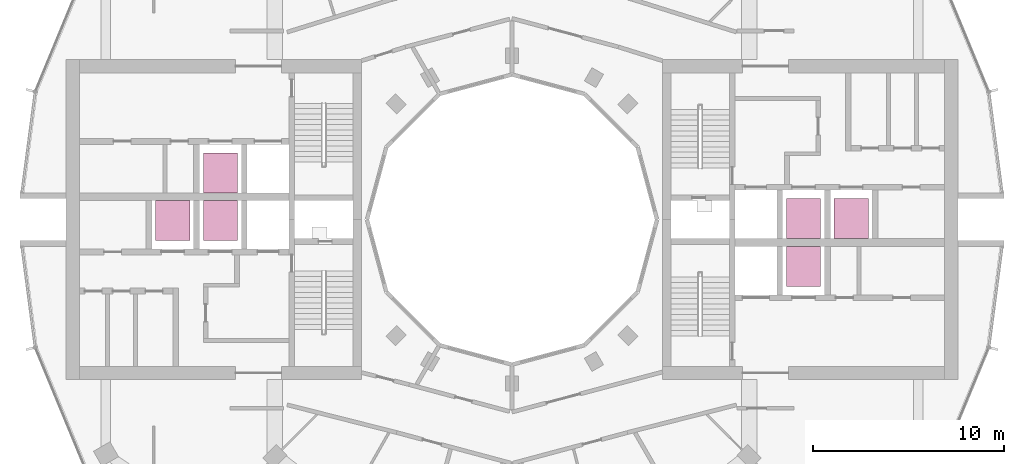
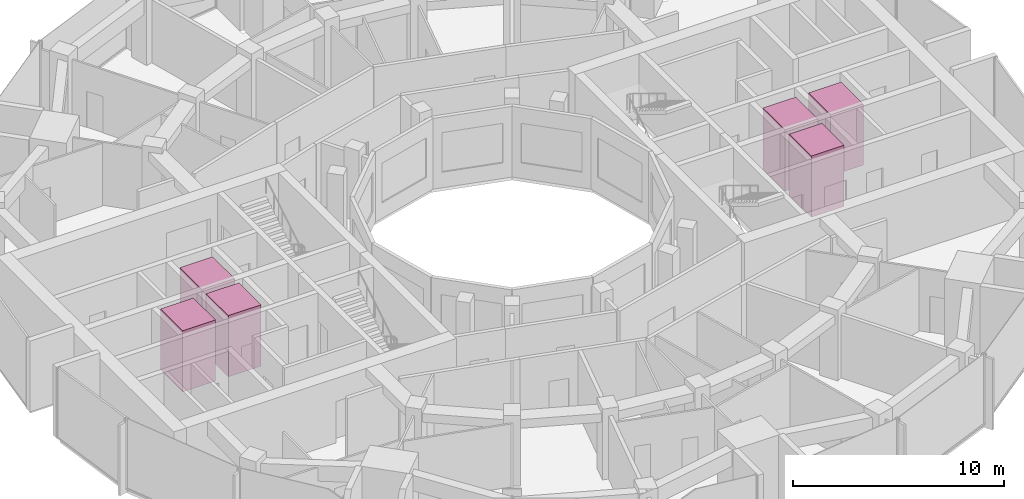
# One storey, part 15 of 15: 6 transport elements.
"""IFC4 building model written with IfcOpenShell, lengths in metres."""

from ifc_helpers import new_model, si_unit, direction, frame, origin, origin_2d, place, context, subcontext, project, spatial, rectangle, extrude, material, type_object, element, save


model = new_model("IFC4")

# Units and contexts
model_context = context("Model", 3, precision=1e-05, world=origin(), true_north=direction((0.0, 1.0)))
body_context = subcontext(model_context, "Body", "Model", "MODEL_VIEW")
ifc_project = project(units=[si_unit("LENGTHUNIT", "METRE"), si_unit("AREAUNIT", "SQUARE_METRE"), si_unit("VOLUMEUNIT", "CUBIC_METRE"), si_unit("PLANEANGLEUNIT", "RADIAN"), si_unit("MASSUNIT", "GRAM", prefix="KILO")], contexts=[model_context])

# Site, building, storey
site_placement = place(None, origin())
site = spatial("IfcSite", under=ifc_project, at=site_placement, CompositionType="ELEMENT")
building_placement = place(site_placement, origin())
building = spatial("IfcBuilding", under=site, at=building_placement, Name="Torre Brocal", CompositionType="ELEMENT")
storey_placement = place(building_placement, frame((0.0, 0.0, 202.800048828125)))
storey = spatial("IfcBuildingStorey", under=building, at=storey_placement, Name="L47", CompositionType="ELEMENT", Elevation=202.800048828125)

# Transport elements
ifc_material = material(Name="Stainless steel AISI 316", Category="steel")
transport_element_type = type_object("IfcTransportElementType", Name="PASSENGER LIFT", PredefinedType="ELEVATOR", material=ifc_material)
for number, where, z_axis, x_axis, name in (
    (1, (95.300048828125, 75.050048828125, 0.0), (0.0, 0.0, 1.0), (1.0, 0.0, 0.0), "HIGH RISE LIFT E-HR1"),
    (2, (95.300048828125, 72.550048828125, 0.0), (0.0, 0.0, 1.0), (1.0, 0.0, 0.0), "HIGH RISE LIFT E-HR2"),
    (3, (97.800048828125, 75.050048828125, 0.0), (0.0, 0.0, 1.0), (1.0, 0.0, 0.0), "HIGH RISE LIFT E-HR3"),
    (4, (64.699951171875, 74.949951171875, 0.0), (0.0, 0.0, 1.0), (1.0, 0.0, 0.0), "HIGH RISE LIFT W-HR1"),
    (5, (64.699951171875, 77.449951171875, 0.0), (0.0, 0.0, 1.0), (1.0, 0.0, 0.0), "HIGH RISE LIFT W-HR2"),
    (6, (62.199951171875, 74.949951171875, 0.0), (0.0, 0.0, 1.0), (1.0, 0.0, 0.0), "HIGH RISE LIFT W-HR3"),
):
    element("IfcTransportElement", number, at=place(storey_placement, frame(where, z_axis=z_axis, x_axis=x_axis)), inside=storey, type_object=transport_element_type, Name=name, PredefinedType="ELEVATOR", context=body_context, shape_type="SweptSolid", body=[
        extrude(rectangle(XDim=1.800048828125, YDim=2.10009765625, at=origin_2d()), origin(), (0.0, 0.0, 1.0), 3.550048828125),
    ])

save(model, "model.ifc")
